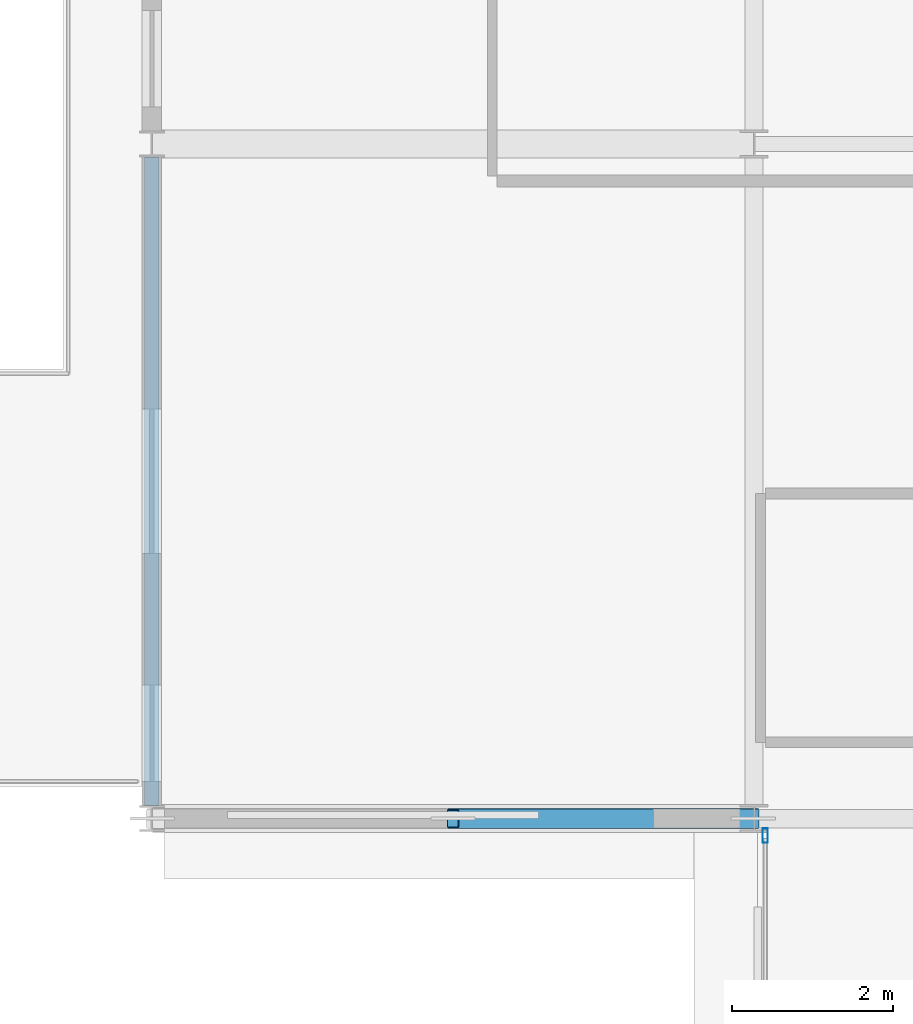
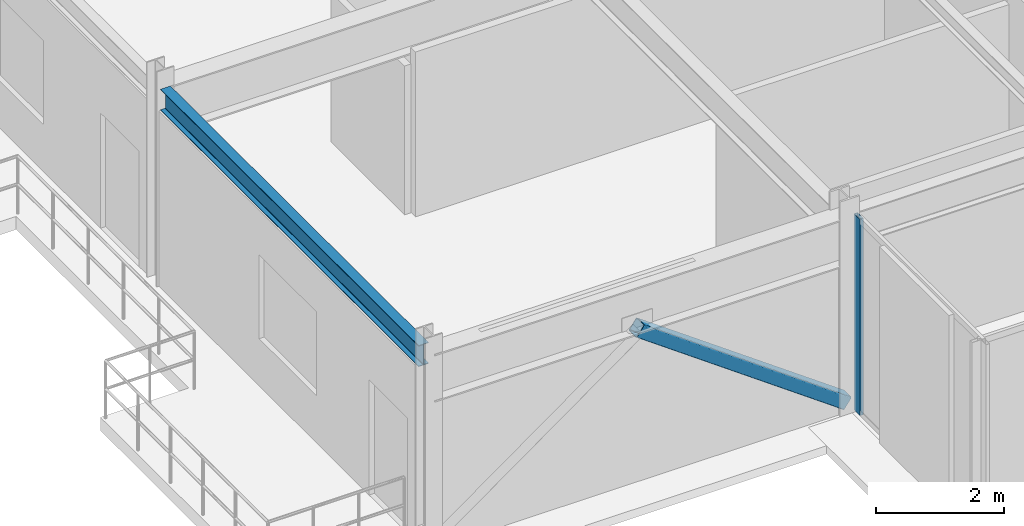
# One storey, part 4 of 30: 2 members, 1 beam, 1 element without a shape of its own.
"""IFC4 building model written with IfcOpenShell, lengths in metres."""

from ifc_helpers import new_model, si_unit, direction, frame, origin, origin_2d, place, context, subcontext, project, spatial, hollow_rectangle, i_section, extrude, material, layer, layer_set, material_profile, profile_set, type_object, element, aggregate, save


model = new_model("IFC4")

# Units and contexts
model_context = context("Model", 3, precision=1e-05, world=origin(), true_north=direction((0.0, 1.0)))
body_context = subcontext(model_context, "Body", "Model", "MODEL_VIEW")
ifc_project = project(units=[si_unit("LENGTHUNIT", "METRE"), si_unit("AREAUNIT", "SQUARE_METRE"), si_unit("VOLUMEUNIT", "CUBIC_METRE"), si_unit("PLANEANGLEUNIT", "RADIAN"), si_unit("MASSUNIT", "GRAM", prefix="KILO")], contexts=[model_context])

# Site, building, storey
site_placement = place(None, origin())
site = spatial("IfcSite", under=ifc_project, at=site_placement, CompositionType="ELEMENT")
building_placement = place(site_placement, origin())
building = spatial("IfcBuilding", under=site, at=building_placement, Name="Nerrivon Quay Data Exchange", CompositionType="ELEMENT")
storey_placement = place(building_placement, frame((0.0, 0.0, 216.5)))
storey = spatial("IfcBuildingStorey", under=building, at=storey_placement, Name="L51", CompositionType="ELEMENT", Elevation=216.5)

# Beam
ifc_material_1 = material(Name="Steel Grade 350", Category="steel")
ifc_material_profile_1 = material_profile(ifc_material_1, i_section(OverallWidth=0.177978515625, OverallDepth=0.403076171875, WebThickness=0.007568359375, FlangeThickness=0.010986328125, FilletRadius=0.011474609375, at=origin_2d()), Name="410UB53.7")
ifc_profile_set_1 = profile_set([ifc_material_profile_1], Name="Steel Grade 350")
beam_type = type_object("IfcBeamType", Name="BM-SP2-410UB54", PredefinedType="SPANDREL", material=ifc_profile_set_1)
beam_placement = place(storey_placement, frame((-7.5, 8.5634765625, 3.548583984375), z_axis=(0.0, 1.0, 0.0), x_axis=(-1.0, 0.0, 0.0)))
element("IfcBeam", 1, at=beam_placement, inside=storey, type_object=beam_type, Name="L51 West Hooked Edge Spandrel", PredefinedType="SPANDREL", context=body_context, shape_type="SweptSolid", body=[
    extrude(i_section(OverallWidth=0.177978515625, OverallDepth=0.403076171875, WebThickness=0.007568359375, FlangeThickness=0.010986328125, FilletRadius=0.011474609375, at=origin_2d()), origin(), (0.0, 0.0, 1.0), 8.072998046875),
])

# Curtain wall, member
ifc_material_2 = material(Name="Anodised aluminium 6063-T6", Category="aluminium")
ifc_layer = layer(ifc_material_2, 0.195068359375)
ifc_layer_set = layer_set([ifc_layer], Name="Anodised aluminium 6063-T6")
curtain_wall_type = type_object("IfcCurtainWallType", Name="CW-SYS-06", PredefinedType="NOTDEFINED", material=ifc_layer_set)
curtain_wall_placement = place(storey_placement, origin())
curtain_wall = element("IfcCurtainWall", 2, at=curtain_wall_placement, inside=storey, type_object=curtain_wall_type, Name="L51 Unitised Curtain Wall 31", PredefinedType="NOTDEFINED")
ifc_material_profile_2 = material_profile(ifc_material_2, hollow_rectangle(XDim=0.06494140625, YDim=0.179931640625, WallThickness=0.00341796875, at=origin_2d()), Name="ALU-MULL-180x65")
ifc_profile_set_2 = profile_set([ifc_material_profile_2], Name="Anodised aluminium 6063-T6")
member_type_1 = type_object("IfcMemberType", Name="CWM-180x65", PredefinedType="MULLION", material=ifc_profile_set_2)
member_1_placement = place(storey_placement, frame((0.139892578125, 8.1875, 0.0), z_axis=(0.0, 0.0, 1.0), x_axis=(-1.0, 0.0, 0.0)))
member_1 = element("IfcMember", 3, at=member_1_placement, type_object=member_type_1, Name="CW06 mullion 2", PredefinedType="MULLION", context=body_context, shape_type="SweptSolid", body=[
    extrude(hollow_rectangle(XDim=0.06494140625, YDim=0.179931640625, WallThickness=0.00341796875, at=origin_2d()), origin(), (0.0, 0.0, 1.0), 3.75),
])
aggregate(curtain_wall, [member_1])

# Member
ifc_material_3 = material(Name="Steel Grade C350L0 (350 MPa)", Category="steel")
ifc_material_profile_3 = material_profile(ifc_material_3, hollow_rectangle(XDim=0.25, YDim=0.25, WallThickness=0.012451171875, InnerFilletRadius=0.018798828125, OuterFilletRadius=0.03125, at=origin_2d()), Name="250x250x12.5SHS")
ifc_profile_set_3 = profile_set([ifc_material_profile_3], Name="Steel Grade C350L0 (350 MPa)")
member_type_2 = type_object("IfcMemberType", Name="MEM-WB1-250SHS", PredefinedType="BRACE", material=ifc_profile_set_3)
member_2_placement = place(storey_placement, frame((-0.010009765625, 8.39990234375, 0.159912109375), z_axis=(-0.811802628091, 0.0, 0.583931924991), x_axis=(0.0, -1.0, 0.0)))
element("IfcMember", 4, at=member_2_placement, inside=storey, type_object=member_type_2, Name="L51 structural brace BR-L51-WHOOK-084A", PredefinedType="BRACE", context=body_context, shape_type="SweptSolid", body=[
    extrude(hollow_rectangle(XDim=0.25, YDim=0.25, WallThickness=0.012451171875, InnerFilletRadius=0.018798828125, OuterFilletRadius=0.03125, at=origin_2d()), origin(), (0.0, 0.0, 1.0), 4.60693359375),
])

save(model, "model.ifc")
